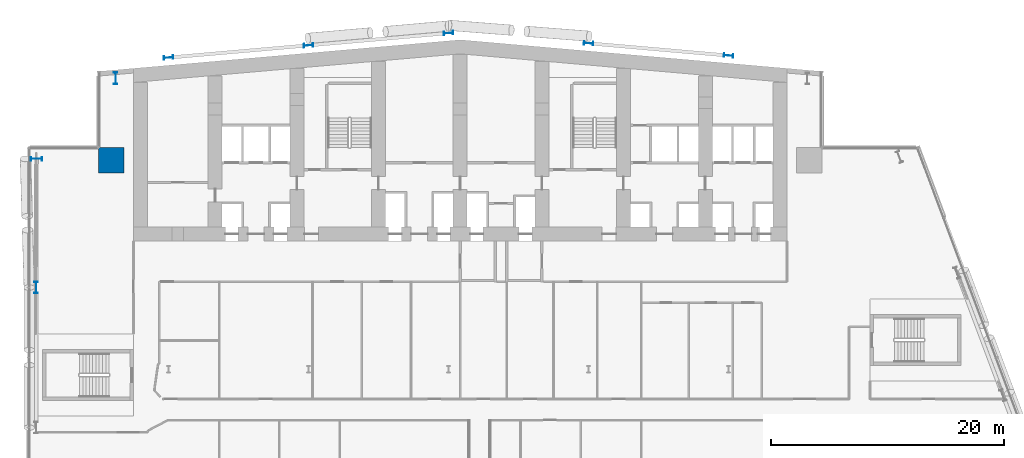
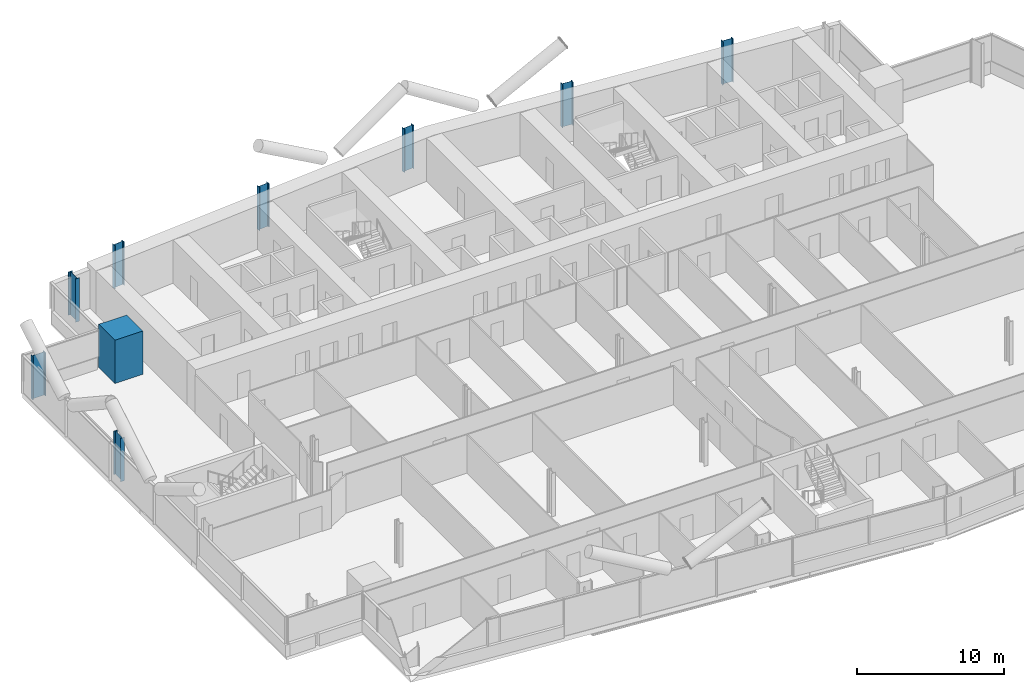
# One storey, part 2 of 27: 9 columns.
"""IFC4 building model written with IfcOpenShell, lengths in metres."""

from ifc_helpers import new_model, si_unit, direction, frame, origin, origin_2d, place, context, subcontext, project, spatial, rectangle, i_section, extrude, material, material_profile, profile_set, type_object, element, save


model = new_model("IFC4")

# Units and contexts
model_context = context("Model", 3, precision=1e-05, world=origin(), true_north=direction((0.0, 1.0)))
body_context = subcontext(model_context, "Body", "Model", "MODEL_VIEW")
ifc_project = project(units=[si_unit("LENGTHUNIT", "METRE"), si_unit("AREAUNIT", "SQUARE_METRE"), si_unit("VOLUMEUNIT", "CUBIC_METRE"), si_unit("PLANEANGLEUNIT", "RADIAN"), si_unit("MASSUNIT", "GRAM", prefix="KILO")], contexts=[model_context])

# Site, building, storey
site_placement = place(None, origin())
site = spatial("IfcSite", under=ifc_project, at=site_placement, CompositionType="ELEMENT")
building_placement = place(site_placement, origin())
building = spatial("IfcBuilding", under=site, at=building_placement, Name="Wharfspan Tower", CompositionType="ELEMENT")
storey_placement = place(building_placement, frame((0.0, 0.0, 55.899902)))
storey = spatial("IfcBuildingStorey", under=building, at=storey_placement, Name="L10", CompositionType="ELEMENT", Elevation=55.899902)

# Columns
ifc_material_1 = material(Name="Steel S355J2", Category="steel")
ifc_material_profile_1 = material_profile(ifc_material_1, i_section(OverallWidth=0.302002, OverallDepth=1.008057, WebThickness=0.020996, FlangeThickness=0.040039, FilletRadius=0.030029, at=origin_2d()))
ifc_profile_set_1 = profile_set([ifc_material_profile_1], Name="Steel S355J2")
column_type_1 = type_object("IfcColumnType", Name="Column HEM 1000", PredefinedType="COLUMN", material=ifc_profile_set_1)
for number, where, z_axis, x_axis, name in (
    (1, (7.466553, 47.933594, 0.0), (0.0, 0.0, 1.0), (-1.0, 0.0, 0.0), "Perimeter column PNRW-V.1 L10"),
    (2, (0.684814, 41.03418, 0.0), (0.0, 0.0, 1.0), (0.0, 1.0, 0.0), "Perimeter column PNRW-H.1 L10"),
    (3, (0.659912, 30.0, 0.0), (0.0, 0.0, 1.0), (-1.0, 0.0, 0.0), "Perimeter column PW.1 L10"),
):
    element("IfcColumn", number, at=place(storey_placement, frame(where, z_axis=z_axis, x_axis=x_axis)), inside=storey, type_object=column_type_1, Name=name, PredefinedType="COLUMN", context=body_context, shape_type="SweptSolid", body=[
        extrude(i_section(OverallWidth=0.302002, OverallDepth=1.008057, WebThickness=0.020996, FlangeThickness=0.040039, FilletRadius=0.030029, at=origin_2d()), origin(), (0.0, 0.0, 1.0), 3.600098),
    ])
ifc_material_profile_2 = material_profile(ifc_material_1, i_section(OverallWidth=0.302979, OverallDepth=0.813965, WebThickness=0.020996, FlangeThickness=0.040039, FilletRadius=0.030029, at=origin_2d()))
ifc_profile_set_2 = profile_set([ifc_material_profile_2], Name="Steel S355J2")
column_type_2 = type_object("IfcColumnType", Name="Column HEM 800", PredefinedType="COLUMN", material=ifc_profile_set_2)
for number, where, z_axis, x_axis, name in (
    (4, (12.0, 49.709961, 0.0), (0.0, 0.0, 1.0), (-0.087156, 0.996197, 0.0), "Rear column R.1 L10"),
    (5, (24.0, 50.759766, 0.0), (0.0, 0.0, 1.0), (-0.087156, 0.996197, 0.0), "Rear column R.2 L10"),
    (6, (36.0, 51.80957, 0.0), (0.0, 0.0, 1.0), (-0.087156, 0.996197, 0.0), "Rear column R.3 L10"),
    (7, (48.0, 50.934814, 0.0), (0.0, 0.0, 1.0), (0.087156, 0.996197, 0.0), "Rear column R.4 L10"),
    (8, (60.0, 49.884766, 0.0), (0.0, 0.0, 1.0), (0.087156, 0.996197, 0.0), "Rear column R.5 L10"),
):
    element("IfcColumn", number, at=place(storey_placement, frame(where, z_axis=z_axis, x_axis=x_axis)), inside=storey, type_object=column_type_2, Name=name, PredefinedType="COLUMN", context=body_context, shape_type="SweptSolid", body=[
        extrude(i_section(OverallWidth=0.302979, OverallDepth=0.813965, WebThickness=0.020996, FlangeThickness=0.040039, FilletRadius=0.030029, at=origin_2d()), origin(), (0.0, 0.0, 1.0), 3.600098),
    ])
ifc_material_2 = material(Name="Concrete C70/85", Category="concrete")
ifc_material_profile_3 = material_profile(ifc_material_2, rectangle(XDim=2.199951, YDim=2.199951, at=origin_2d()))
ifc_profile_set_3 = profile_set([ifc_material_profile_3], Name="Concrete C70/85")
column_type_3 = type_object("IfcColumnType", Name="Mega column 2200 C70/85", PredefinedType="COLUMN", material=ifc_profile_set_3)
column_placement = place(storey_placement, frame((7.100098, 40.899902, 0.0), z_axis=(0.0, 0.0, 1.0), x_axis=(1.0, 0.0, 0.0)))
element("IfcColumn", 9, at=column_placement, inside=storey, type_object=column_type_3, Name="Mega column MC2 L10", PredefinedType="COLUMN", context=body_context, shape_type="SweptSolid", body=[
    extrude(rectangle(XDim=2.199951, YDim=2.199951, at=origin_2d()), origin(), (0.0, 0.0, 1.0), 3.600098),
])

save(model, "model.ifc")
